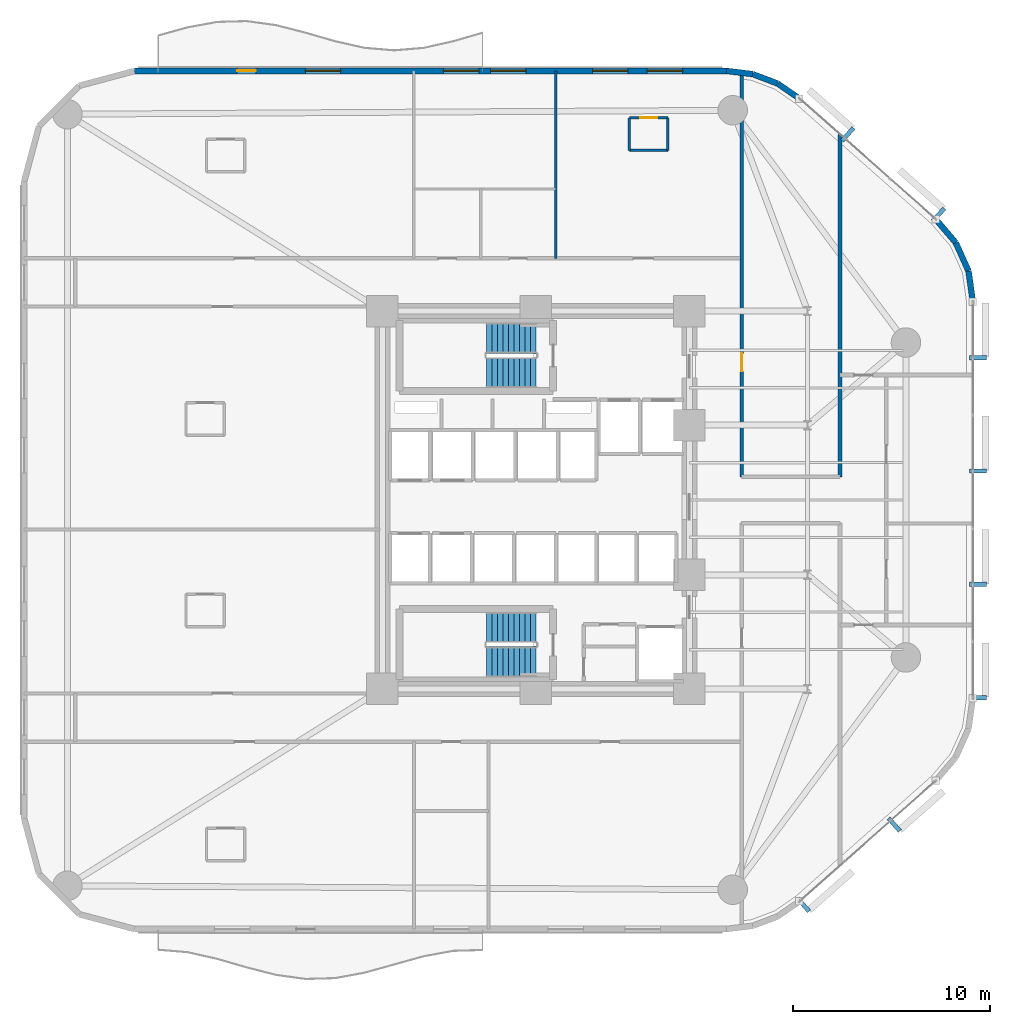
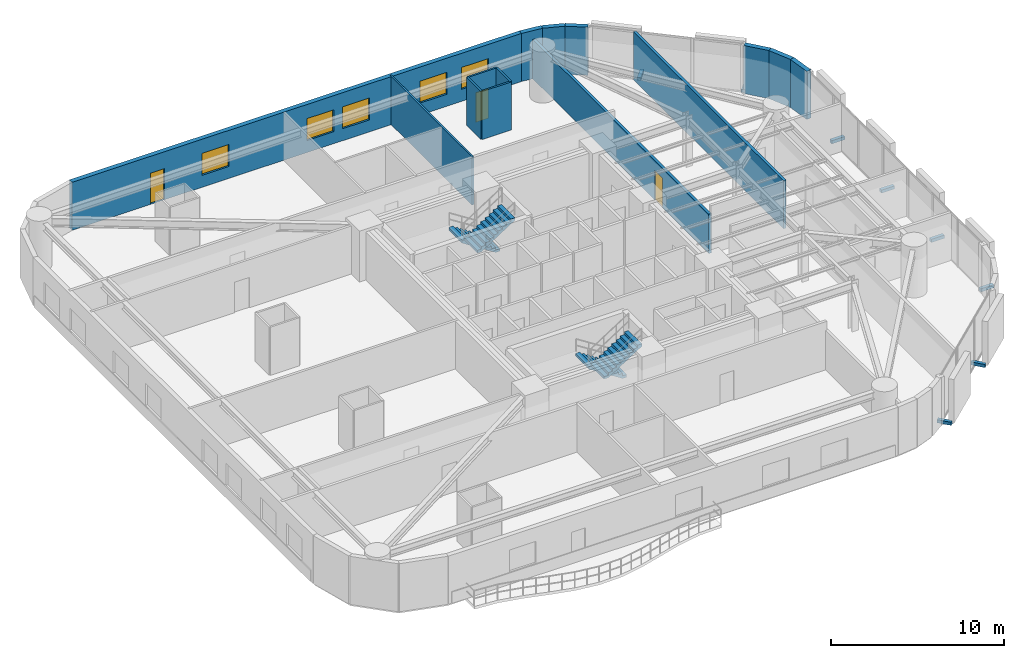
# One storey, part 13 of 16: 14 walls, 8 discrete accessories, 5 windows, 4 stair flights, 3 doors, 8 openings, 2 elements without a shape of their own.
"""IFC4 building model written with IfcOpenShell, lengths in metres."""

import ifcopenshell
import ifcopenshell.guid

model = None  # the IFC model being written
_history = None  # IfcOwnerHistory: only IFC2X3 demands one
_inside = {}  # id of a spatial element -> (the spatial element, [elements in it])
_under = {}  # id of a project, library or spatial element -> (it, [spatial elements below it])
_declared = {}  # id of a project -> (the project, [libraries it declares])
_typed = {}  # id of a type object -> (the type object, [elements of that type])
_made_of = {}  # id of a material, layer set ... -> (it, [elements and type objects made of it])


def new_model(schema):
    """Start an empty IFC model of exactly this schema.

    Asked for "IFC4X3", IfcOpenShell would pick the latest addendum, in which some entities
    have other attributes; the version numbers below select the first issue.
    IFC2X3 requires an IfcOwnerHistory on every rooted entity: one is made here for all.
    """
    global model, _history
    if schema == "IFC4X3":
        model = ifcopenshell.file(schema_version=(4, 3, 0, 0))
    else:
        model = ifcopenshell.file(schema=schema)
    _inside.clear()
    _under.clear()
    _declared.clear()
    _typed.clear()
    _made_of.clear()
    _history = None
    if model.schema == "IFC2X3":
        org = make("IfcOrganization", Name="unknown")
        user = make(
            "IfcPersonAndOrganization",
            ThePerson=make("IfcPerson", FamilyName="unknown"),
            TheOrganization=org,
        )
        app = make(
            "IfcApplication",
            ApplicationDeveloper=org,
            Version="unknown",
            ApplicationFullName="unknown",
            ApplicationIdentifier="unknown",
        )
        _history = make(
            "IfcOwnerHistory",
            OwningUser=user,
            OwningApplication=app,
            ChangeAction="ADDED",
            CreationDate=0,
        )
    return model


def make(cls, **values):
    """One entity of the class cls with the attributes given. An attribute that is None is left unset."""
    return model.create_entity(
        cls, **{name: value for name, value in values.items() if value is not None}
    )


def rooted(cls, **values):
    """An entity with a GlobalId (a new one), such as an element, a storey or a relation."""
    return make(cls, GlobalId=ifcopenshell.guid.new(), OwnerHistory=_history, **values)


def si_unit(unit_type, name, prefix=None):
    """IfcSIUnit, for example si_unit("LENGTHUNIT", "METRE", prefix="MILLI")."""
    return make("IfcSIUnit", UnitType=unit_type, Prefix=prefix, Name=name)


def assignment(units):
    """IfcUnitAssignment: the units of a project."""
    return None if units is None else make("IfcUnitAssignment", Units=units)


def point(xyz):
    """IfcCartesianPoint."""
    return None if xyz is None else make("IfcCartesianPoint", Coordinates=xyz)


def direction(xyz):
    """IfcDirection."""
    return None if xyz is None else make("IfcDirection", DirectionRatios=xyz)


def frame(location, z_axis=None, x_axis=None):
    """IfcAxis2Placement3D, a coordinate frame: its origin and axes. An axis left out is left unset."""
    return make(
        "IfcAxis2Placement3D",
        Location=point(location),
        Axis=direction(z_axis),
        RefDirection=direction(x_axis),
    )


def frame_2d(location, x_axis=None):
    """IfcAxis2Placement2D, a coordinate frame in the plane: its origin and x axis."""
    return make(
        "IfcAxis2Placement2D", Location=point(location), RefDirection=direction(x_axis)
    )


def origin():
    """The frame at (0, 0, 0) with its axes left unset."""
    return frame((0.0, 0.0, 0.0))


def origin_2d():
    """The frame at (0, 0) in the plane with its x axis left unset."""
    return frame_2d((0.0, 0.0))


def place(relative_to, where):
    """IfcLocalPlacement: puts the frame where relative to a parent placement (None: the world)."""
    return make(
        "IfcLocalPlacement", PlacementRelTo=relative_to, RelativePlacement=where
    )


def context(
    kind, dimensions, precision=None, world=None, true_north=None, identifier=None
):
    """IfcGeometricRepresentationContext, for example the 3D "Model" context."""
    return make(
        "IfcGeometricRepresentationContext",
        ContextIdentifier=identifier,
        ContextType=kind,
        CoordinateSpaceDimension=dimensions,
        Precision=precision,
        WorldCoordinateSystem=world,
        TrueNorth=true_north,
    )


def subcontext(parent, identifier, kind, view, scale=None):
    """IfcGeometricRepresentationSubContext, for example "Body" below "Model"."""
    return make(
        "IfcGeometricRepresentationSubContext",
        ContextIdentifier=identifier,
        ContextType=kind,
        ParentContext=parent,
        TargetScale=scale,
        TargetView=view,
    )


def project(units=None, contexts=None):
    """IfcProject with its units and contexts."""
    return rooted(
        "IfcProject",
        Name="project",
        RepresentationContexts=contexts,
        UnitsInContext=assignment(units),
    )


def spatial(cls, under=None, at=None, **own):
    """A site, building, storey or space (cls), placed at a placement, below another one or the project."""
    s = rooted(cls, ObjectPlacement=at, **own)
    if under is not None:
        _under.setdefault(under.id(), (under, []))[1].append(s)
    return s


def polyline(points):
    """IfcPolyline through the points."""
    return make("IfcPolyline", Points=[point(p) for p in points])


def profile(cls, at=None, kind="AREA", **sizes):
    """A parametric profile (cls). Its sizes go by their IFC names, for example OverallWidth=200.0."""
    return make(cls, ProfileType=kind, Position=at, **sizes)


def rectangle(**sizes):
    """IfcRectangleProfileDef."""
    return profile("IfcRectangleProfileDef", **sizes)


def outline(outer, holes=None, kind="AREA"):
    """IfcArbitraryClosedProfileDef: a profile drawn as a closed curve; with holes, ...WithVoids."""
    if holes is None:
        return make("IfcArbitraryClosedProfileDef", ProfileType=kind, OuterCurve=outer)
    return make(
        "IfcArbitraryProfileDefWithVoids",
        ProfileType=kind,
        OuterCurve=outer,
        InnerCurves=holes,
    )


def extrude(swept, where, along, depth):
    """IfcExtrudedAreaSolid: the profile swept, set in the frame where, extruded along a direction by depth."""
    return make(
        "IfcExtrudedAreaSolid",
        SweptArea=swept,
        Position=where,
        ExtrudedDirection=direction(along),
        Depth=depth,
    )


def shape(context_of_items, identifier, shape_type, items):
    """IfcShapeRepresentation: the items that make up one representation, for example the "Body"."""
    return make(
        "IfcShapeRepresentation",
        ContextOfItems=context_of_items,
        RepresentationIdentifier=identifier,
        RepresentationType=shape_type,
        Items=items,
    )


def material(Name=None, Category=None):
    """IfcMaterial."""
    return make("IfcMaterial", Name=Name, Category=Category)


def layer(
    of_material, thickness, ventilated=None, Name=None, Category=None, Priority=None
):
    """IfcMaterialLayer: one layer of a wall or slab, of a material (None: an air gap)."""
    return make(
        "IfcMaterialLayer",
        Material=of_material,
        LayerThickness=thickness,
        IsVentilated=ventilated,
        Name=Name,
        Category=Category,
        Priority=Priority,
    )


def layer_set(layers, Name=None):
    """IfcMaterialLayerSet."""
    return make("IfcMaterialLayerSet", MaterialLayers=layers, LayerSetName=Name)


def made_of(thing, what):
    """Note that an element or type object is made of a material, layer set ...; save() writes the relation."""
    if what is not None:
        _made_of.setdefault(what.id(), (what, []))[1].append(thing)
    return thing


def type_object(cls, material=None, **own):
    """A type object (cls), such as IfcWallType, which elements share."""
    return made_of(rooted(cls, **own), material)


def element(
    cls,
    number,
    at=None,
    inside=None,
    cuts=None,
    type_object=None,
    material=None,
    context=None,
    identifier="Body",
    shape_type=None,
    held_by="IfcProductDefinitionShape",
    body=None,
    shapes=None,
    **own,
):
    """One element of the class cls, such as IfcWall. Its Tag is "e" and its number.

    at: its placement. inside: the storey or other place that contains it. cuts: it is an
    opening in that element (IfcRelVoidsElement). A single representation is given by context,
    identifier, shape_type and body (its items); several are given by shapes. held_by: the class
    of the entity that holds the representations. save() writes the other relations.
    """
    e = rooted(cls, Tag="e%d" % number, ObjectPlacement=at, **own)
    if body is not None:
        shapes = [shape(context, identifier, shape_type, body)]
    if shapes is not None:
        e.Representation = make(held_by, Representations=shapes)
    if inside is not None:
        _inside.setdefault(inside.id(), (inside, []))[1].append(e)
    if cuts is not None:
        rooted(
            "IfcRelVoidsElement", RelatingBuildingElement=cuts, RelatedOpeningElement=e
        )
    if type_object is not None:
        _typed.setdefault(type_object.id(), (type_object, []))[1].append(e)
    return made_of(e, material)


def fill(opening, filler):
    """IfcRelFillsElement: the door or window that sits in an opening."""
    return rooted(
        "IfcRelFillsElement",
        RelatingOpeningElement=opening,
        RelatedBuildingElement=filler,
    )


def aggregate(whole, parts):
    """IfcRelAggregates: a whole, such as a stair, and the parts it consists of."""
    return rooted("IfcRelAggregates", RelatingObject=whole, RelatedObjects=parts)


def save(model, path):
    """Write the relations noted so far, then the file.

    IfcRelAggregates (storeys below a building ...), IfcRelContainedInSpatialStructure (elements
    in a storey), IfcRelDefinesByType, IfcRelAssociatesMaterial and IfcRelDeclares: one each for
    every whole, place, type object, material and project.
    """
    for whole, parts in _under.values():
        aggregate(whole, parts)
    for where, things in _inside.values():
        rooted(
            "IfcRelContainedInSpatialStructure",
            RelatedElements=things,
            RelatingStructure=where,
        )
    for kind, things in _typed.values():
        rooted("IfcRelDefinesByType", RelatedObjects=things, RelatingType=kind)
    for what, things in _made_of.values():
        rooted("IfcRelAssociatesMaterial", RelatedObjects=things, RelatingMaterial=what)
    for by, libraries in _declared.values():
        rooted("IfcRelDeclares", RelatingContext=by, RelatedDefinitions=libraries)
    model.write(path)


model = new_model("IFC4")

# Units and contexts
model_context = context("Model", 3, precision=1e-05, world=origin(), true_north=direction((0.0, 1.0)))
body_context = subcontext(model_context, "Body", "Model", "MODEL_VIEW")
ifc_project = project(units=[si_unit("LENGTHUNIT", "METRE"), si_unit("AREAUNIT", "SQUARE_METRE"), si_unit("VOLUMEUNIT", "CUBIC_METRE"), si_unit("PLANEANGLEUNIT", "RADIAN"), si_unit("MASSUNIT", "GRAM", prefix="KILO")], contexts=[model_context])

# Site, building, storey
site_placement = place(None, origin())
site = spatial("IfcSite", under=ifc_project, at=site_placement, CompositionType="ELEMENT")
building_placement = place(site_placement, origin())
building = spatial("IfcBuilding", under=site, at=building_placement, Name="An Khanh Terracotta Commons", CompositionType="ELEMENT")
storey_placement = place(building_placement, frame((0.0, 0.0, 54.0)))
storey = spatial("IfcBuildingStorey", under=building, at=storey_placement, Name="L14", CompositionType="ELEMENT", Elevation=54.0)

# Wall, opening, door
ifc_material_1 = material(Name="Fire-Rated Gypsum Board on Steel Stud", Category="steel")
ifc_layer_1 = layer(ifc_material_1, 0.179931640625, Name="Fire-Rated Gypsum Board on Steel Stud")
ifc_layer_set_1 = layer_set([ifc_layer_1], Name="Fire-Rated Gypsum Board on Steel Stud")
wall_type_1 = type_object("IfcWallType", Name="WALL-CORR-180", PredefinedType="PARTITIONING", material=ifc_layer_set_1)
wall_1_placement = place(storey_placement, frame((39.85009765625, 25.179931640625, 0.0), z_axis=(0.0, 0.0, 1.0), x_axis=(0.0, 1.0, 0.0)))
wall_1 = element("IfcWall", 1, at=wall_1_placement, inside=storey, type_object=wall_type_1, Name="L14 Interior Partition IW-L14-E021", PredefinedType="PARTITIONING", context=body_context, shape_type="SweptSolid", body=[
    extrude(rectangle(XDim=20.527099609375, YDim=0.179931640625, at=frame_2d((10.263671875, 0.0))), origin(), (0.0, 0.0, 1.0), 2.781982421875),
])
opening_1_placement = place(wall_1_placement, frame((5.35009765625, 0.0, 0.0)))
opening_1 = element("IfcOpeningElement", 2, at=opening_1_placement, cuts=wall_1, Name="Opening D-RM", PredefinedType="OPENING", context=body_context, shape_type="SweptSolid", body=[
    extrude(rectangle(XDim=0.919921875, YDim=2.10009765625, at=frame_2d((0.4599609375, 1.050048828125))), frame((0.0, 0.099853515625, 0.0), z_axis=(0.0, -1.0, 0.0), x_axis=(1.0, 0.0, 0.0)), (0.0, 0.0, 1.0), 0.199951171875),
])
ifc_material_2 = material(Name="Engineered Hardwood Timber Leaf", Category="wood")
door_type_1 = type_object("IfcDoorType", Name="DOOR-INT-920", OperationType="NOTDEFINED", PredefinedType="DOOR", material=ifc_material_2)
door_1_placement = place(opening_1_placement, origin())
door_1 = element("IfcDoor", 3, at=door_1_placement, inside=storey, type_object=door_type_1, Name="L14 NB1 Academic Seminar Room Door", OperationType="SINGLE_SWING_RIGHT", OverallHeight=2.10009765625, OverallWidth=0.919921875, PredefinedType="DOOR", context=body_context, shape_type="SweptSolid", body=[
    extrude(rectangle(XDim=0.919921875, YDim=2.10009765625, at=frame_2d((0.4599609375, 1.050048828125))), frame((0.0, 0.02490234375, 0.0), z_axis=(0.0, -1.0, 0.0), x_axis=(1.0, 0.0, 0.0)), (0.0, 0.0, 1.0), 0.050048828125),
])
fill(opening_1, door_1)

# Walls
wall_2_placement = place(storey_placement, frame((44.85009765625, 25.179931640625, 0.0), z_axis=(0.0, 0.0, 1.0), x_axis=(0.0, 1.0, 0.0)))
element("IfcWall", 4, at=wall_2_placement, inside=storey, type_object=wall_type_1, Name="L14 Interior Partition IW-L14-E023", PredefinedType="PARTITIONING", context=body_context, shape_type="SweptSolid", body=[
    extrude(rectangle(XDim=17.39111328125, YDim=0.179931640625, at=frame_2d((8.695556640625, 0.0))), origin(), (0.0, 0.0, 1.0), 3.39990234375),
])
ifc_material_3 = material(Name="Precast concrete C40/50", Category="concrete")
ifc_layer_2 = layer(ifc_material_3, 0.300048828125, Name="Precast concrete C40/50")
ifc_layer_set_2 = layer_set([ifc_layer_2], Name="Precast concrete C40/50")
wall_type_2 = type_object("IfcWallType", Name="WALL-EXT-300", PredefinedType="SOLIDWALL", material=ifc_layer_set_2)
wall_3_placement = place(storey_placement, frame((51.60009765625, 34.076904296875, 0.0), z_axis=(0.0, 0.0, 1.0), x_axis=(-0.140380048512, 0.990097693149, 0.0)))
element("IfcWall", 5, at=wall_3_placement, inside=storey, type_object=wall_type_2, Name="L14 Insulated Terracotta Exterior Wall 13", PredefinedType="SOLIDWALL", context=body_context, shape_type="SweptSolid", body=[
    extrude(rectangle(XDim=1.57568359375, YDim=0.300048828125, at=frame_2d((0.787841796875, 0.0))), origin(), (0.0, 0.0, 1.0), 3.39990234375),
])
wall_4_placement = place(storey_placement, frame((51.37890625, 35.636962890625, 0.0), z_axis=(0.0, 0.0, 1.0), x_axis=(-0.410996558744, 0.911636895206, 0.0)))
element("IfcWall", 6, at=wall_4_placement, inside=storey, type_object=wall_type_2, Name="L14 Insulated Terracotta Exterior Wall 14", PredefinedType="SOLIDWALL", context=body_context, shape_type="SweptSolid", body=[
    extrude(rectangle(XDim=1.57421875, YDim=0.300048828125, at=frame_2d((0.787109375, 0.0))), origin(), (0.0, 0.0, 1.0), 3.39990234375),
])
wall_5_placement = place(storey_placement, frame((50.73193359375, 37.072021484375, 0.0), z_axis=(0.0, 0.0, 1.0), x_axis=(-0.648389989909, 0.7613083613, 0.0)))
element("IfcWall", 7, at=wall_5_placement, inside=storey, type_object=wall_type_2, Name="L14 Insulated Terracotta Exterior Wall 15", PredefinedType="SOLIDWALL", context=body_context, shape_type="SweptSolid", body=[
    extrude(rectangle(XDim=1.576171875, YDim=0.300048828125, at=frame_2d((0.7880859375, 0.0))), origin(), (0.0, 0.0, 1.0), 3.39990234375),
])
wall_6_placement = place(storey_placement, frame((42.7890625, 44.39404296875, 0.0), z_axis=(0.0, 0.0, 1.0), x_axis=(-0.823116500192, 0.567872544777, 0.0)))
element("IfcWall", 8, at=wall_6_placement, inside=storey, type_object=wall_type_2, Name="L14 Insulated Terracotta Exterior Wall 17", PredefinedType="SOLIDWALL", context=body_context, shape_type="SweptSolid", body=[
    extrude(rectangle(XDim=1.3486328125, YDim=0.300048828125, at=frame_2d((0.67431640625, 0.0))), origin(), (0.0, 0.0, 1.0), 3.39990234375),
])
wall_7_placement = place(storey_placement, frame((41.678955078125, 45.159912109375, 0.0), z_axis=(0.0, 0.0, 1.0), x_axis=(-0.935156721165, 0.354234254216, 0.0)))
element("IfcWall", 9, at=wall_7_placement, inside=storey, type_object=wall_type_2, Name="L14 Insulated Terracotta Exterior Wall 18", PredefinedType="SOLIDWALL", context=body_context, shape_type="SweptSolid", body=[
    extrude(rectangle(XDim=1.349365234375, YDim=0.300048828125, at=frame_2d((0.6748046875, 0.0))), origin(), (0.0, 0.0, 1.0), 3.39990234375),
])
wall_8_placement = place(storey_placement, frame((40.4169921875, 45.637939453125, 0.0), z_axis=(0.0, 0.0, 1.0), x_axis=(-0.992739027259, 0.120288086515, 0.0)))
element("IfcWall", 10, at=wall_8_placement, inside=storey, type_object=wall_type_2, Name="L14 Insulated Terracotta Exterior Wall 19", PredefinedType="SOLIDWALL", context=body_context, shape_type="SweptSolid", body=[
    extrude(rectangle(XDim=1.34765625, YDim=0.300048828125, at=frame_2d((0.673828125, 0.0))), origin(), (0.0, 0.0, 1.0), 3.39990234375),
])

# Wall, openings, door, windows
wall_9_placement = place(storey_placement, frame((39.0791015625, 45.800048828125, 0.0), z_axis=(0.0, 0.0, 1.0), x_axis=(-1.0, 0.0, 0.0)))
wall_9 = element("IfcWall", 11, at=wall_9_placement, inside=storey, type_object=wall_type_2, Name="L14 Insulated Terracotta Exterior Wall 20", PredefinedType="SOLIDWALL", context=body_context, shape_type="SweptSolid", body=[
    extrude(rectangle(XDim=30.0791015625, YDim=0.300048828125, at=frame_2d((15.03955078125, 0.0))), origin(), (0.0, 0.0, 1.0), 3.39990234375),
])
opening_2_placement = place(wall_9_placement, frame((23.904052734375, 0.0, 0.0)))
opening_2 = element("IfcOpeningElement", 12, at=opening_2_placement, cuts=wall_9, Name="Opening D-BAL", PredefinedType="OPENING", context=body_context, shape_type="SweptSolid", body=[
    extrude(rectangle(XDim=0.949951171875, YDim=2.199951171875, at=frame_2d((0.47509765625, 1.10009765625))), frame((0.0, 0.159912109375, 0.0), z_axis=(0.0, -1.0, 0.0), x_axis=(1.0, 0.0, 0.0)), (0.0, 0.0, 1.0), 0.320068359375),
])
opening_3_placement = place(wall_9_placement, frame((2.22607421875, 0.0, 0.85009765625)))
opening_3 = element("IfcOpeningElement", 13, at=opening_3_placement, cuts=wall_9, Name="Opening W-01", PredefinedType="OPENING", context=body_context, shape_type="SweptSolid", body=[
    extrude(rectangle(XDim=1.800048828125, YDim=1.550048828125, at=frame_2d((0.89990234375, 0.77490234375))), frame((0.0, 0.159912109375, 0.0), z_axis=(0.0, -1.0, 0.0), x_axis=(1.0, 0.0, 0.0)), (0.0, 0.0, 1.0), 0.320068359375),
])
opening_4_placement = place(wall_9_placement, frame((5.0029296875, 0.0, 0.85009765625)))
opening_4 = element("IfcOpeningElement", 14, at=opening_4_placement, cuts=wall_9, Name="Opening W-01", PredefinedType="OPENING", context=body_context, shape_type="SweptSolid", body=[
    extrude(rectangle(XDim=1.800048828125, YDim=1.550048828125, at=frame_2d((0.89990234375, 0.77490234375))), frame((0.0, 0.159912109375, 0.0), z_axis=(0.0, -1.0, 0.0), x_axis=(1.0, 0.0, 0.0)), (0.0, 0.0, 1.0), 0.320068359375),
])
opening_5_placement = place(wall_9_placement, frame((10.178955078125, 0.0, 0.85009765625)))
opening_5 = element("IfcOpeningElement", 15, at=opening_5_placement, cuts=wall_9, Name="Opening W-01", PredefinedType="OPENING", context=body_context, shape_type="SweptSolid", body=[
    extrude(rectangle(XDim=1.800048828125, YDim=1.550048828125, at=frame_2d((0.89990234375, 0.77490234375))), frame((0.0, 0.159912109375, 0.0), z_axis=(0.0, -1.0, 0.0), x_axis=(1.0, 0.0, 0.0)), (0.0, 0.0, 1.0), 0.320068359375),
])
opening_6_placement = place(wall_9_placement, frame((12.5791015625, 0.0, 0.85009765625)))
opening_6 = element("IfcOpeningElement", 16, at=opening_6_placement, cuts=wall_9, Name="Opening W-01", PredefinedType="OPENING", context=body_context, shape_type="SweptSolid", body=[
    extrude(rectangle(XDim=1.800048828125, YDim=1.550048828125, at=frame_2d((0.89990234375, 0.77490234375))), frame((0.0, 0.159912109375, 0.0), z_axis=(0.0, -1.0, 0.0), x_axis=(1.0, 0.0, 0.0)), (0.0, 0.0, 1.0), 0.320068359375),
])
opening_7_placement = place(wall_9_placement, frame((19.595947265625, 0.0, 0.85009765625)))
opening_7 = element("IfcOpeningElement", 17, at=opening_7_placement, cuts=wall_9, Name="Opening W-01", PredefinedType="OPENING", context=body_context, shape_type="SweptSolid", body=[
    extrude(rectangle(XDim=1.800048828125, YDim=1.550048828125, at=frame_2d((0.89990234375, 0.77490234375))), frame((0.0, 0.159912109375, 0.0), z_axis=(0.0, -1.0, 0.0), x_axis=(1.0, 0.0, 0.0)), (0.0, 0.0, 1.0), 0.320068359375),
])
ifc_material_4 = material(Name="Thermally Broken Aluminium and Low-E Glass", Category="aluminium")
door_type_2 = type_object("IfcDoorType", Name="DOOR-BALC-950", OperationType="NOTDEFINED", PredefinedType="DOOR", material=ifc_material_4)
door_2_placement = place(opening_2_placement, origin())
door_2 = element("IfcDoor", 18, at=door_2_placement, inside=storey, type_object=door_type_2, Name="L14 N Wave Balcony Glazed Door", OperationType="SINGLE_SWING_RIGHT", OverallHeight=2.199951171875, OverallWidth=0.949951171875, PredefinedType="DOOR", context=body_context, shape_type="SweptSolid", body=[
    extrude(rectangle(XDim=0.949951171875, YDim=2.199951171875, at=frame_2d((0.47509765625, 1.10009765625))), frame((0.0, 0.02490234375, 0.0), z_axis=(0.0, -1.0, 0.0), x_axis=(1.0, 0.0, 0.0)), (0.0, 0.0, 1.0), 0.050048828125),
])
fill(opening_2, door_2)
window_type = type_object("IfcWindowType", Name="WIN-Z1-1800x1550", PartitioningType="DOUBLE_PANEL_VERTICAL", PredefinedType="WINDOW", material=ifc_material_4)
window_1_placement = place(opening_3_placement, origin())
window_1 = element("IfcWindow", 19, at=window_1_placement, inside=storey, type_object=window_type, Name="L14 Operable Casement Window 20.1", OverallHeight=1.550048828125, OverallWidth=1.800048828125, PartitioningType="DOUBLE_PANEL_VERTICAL", PredefinedType="WINDOW", context=body_context, shape_type="SweptSolid", body=[
    extrude(rectangle(XDim=1.800048828125, YDim=1.550048828125, at=frame_2d((0.89990234375, 0.77490234375))), frame((0.0, 0.030029296875, 0.0), z_axis=(0.0, -1.0, 0.0), x_axis=(1.0, 0.0, 0.0)), (0.0, 0.0, 1.0), 0.06005859375),
])
fill(opening_3, window_1)
window_2_placement = place(opening_4_placement, origin())
window_2 = element("IfcWindow", 20, at=window_2_placement, inside=storey, type_object=window_type, Name="L14 Operable Casement Window 20.2", OverallHeight=1.550048828125, OverallWidth=1.800048828125, PartitioningType="DOUBLE_PANEL_VERTICAL", PredefinedType="WINDOW", context=body_context, shape_type="SweptSolid", body=[
    extrude(rectangle(XDim=1.800048828125, YDim=1.550048828125, at=frame_2d((0.89990234375, 0.77490234375))), frame((0.0, 0.030029296875, 0.0), z_axis=(0.0, -1.0, 0.0), x_axis=(1.0, 0.0, 0.0)), (0.0, 0.0, 1.0), 0.06005859375),
])
fill(opening_4, window_2)
window_3_placement = place(opening_5_placement, origin())
window_3 = element("IfcWindow", 21, at=window_3_placement, inside=storey, type_object=window_type, Name="L14 Operable Casement Window 20.3", OverallHeight=1.550048828125, OverallWidth=1.800048828125, PartitioningType="DOUBLE_PANEL_VERTICAL", PredefinedType="WINDOW", context=body_context, shape_type="SweptSolid", body=[
    extrude(rectangle(XDim=1.800048828125, YDim=1.550048828125, at=frame_2d((0.89990234375, 0.77490234375))), frame((0.0, 0.030029296875, 0.0), z_axis=(0.0, -1.0, 0.0), x_axis=(1.0, 0.0, 0.0)), (0.0, 0.0, 1.0), 0.06005859375),
])
fill(opening_5, window_3)
window_4_placement = place(opening_6_placement, origin())
window_4 = element("IfcWindow", 22, at=window_4_placement, inside=storey, type_object=window_type, Name="L14 Operable Casement Window 20.4", OverallHeight=1.550048828125, OverallWidth=1.800048828125, PartitioningType="DOUBLE_PANEL_VERTICAL", PredefinedType="WINDOW", context=body_context, shape_type="SweptSolid", body=[
    extrude(rectangle(XDim=1.800048828125, YDim=1.550048828125, at=frame_2d((0.89990234375, 0.77490234375))), frame((0.0, 0.030029296875, 0.0), z_axis=(0.0, -1.0, 0.0), x_axis=(1.0, 0.0, 0.0)), (0.0, 0.0, 1.0), 0.06005859375),
])
fill(opening_6, window_4)
window_5_placement = place(opening_7_placement, origin())
window_5 = element("IfcWindow", 23, at=window_5_placement, inside=storey, type_object=window_type, Name="L14 Operable Casement Window 20.5", OverallHeight=1.550048828125, OverallWidth=1.800048828125, PartitioningType="DOUBLE_PANEL_VERTICAL", PredefinedType="WINDOW", context=body_context, shape_type="SweptSolid", body=[
    extrude(rectangle(XDim=1.800048828125, YDim=1.550048828125, at=frame_2d((0.89990234375, 0.77490234375))), frame((0.0, 0.030029296875, 0.0), z_axis=(0.0, -1.0, 0.0), x_axis=(1.0, 0.0, 0.0)), (0.0, 0.0, 1.0), 0.06005859375),
])
fill(opening_7, window_5)

# Wall, opening, door
ifc_material_5 = material(Name="Moisture-Resistant Cement Board Partition")
ifc_layer_3 = layer(ifc_material_5, 0.1201171875, Name="Moisture-Resistant Cement Board Partition")
ifc_layer_set_3 = layer_set([ifc_layer_3], Name="Moisture-Resistant Cement Board Partition")
wall_type_3 = type_object("IfcWallType", Name="WALL-WET-120", PredefinedType="PARTITIONING", material=ifc_layer_set_3)
wall_10_placement = place(storey_placement, frame((34.14990234375, 43.4169921875, 0.0), z_axis=(0.0, 0.0, 1.0), x_axis=(1.0, 0.0, 0.0)))
wall_10 = element("IfcWall", 24, at=wall_10_placement, inside=storey, type_object=wall_type_3, Name="L14 Interior Partition IW-L14-NWE-BN", PredefinedType="PARTITIONING", context=body_context, shape_type="SweptSolid", body=[
    extrude(rectangle(XDim=1.9501953125, YDim=0.1201171875, at=frame_2d((0.97509765625, 0.0))), origin(), (0.0, 0.0, 1.0), 3.39990234375),
])
opening_8_placement = place(wall_10_placement, frame((0.544921875, 0.0, 0.0)))
opening_8 = element("IfcOpeningElement", 25, at=opening_8_placement, cuts=wall_10, Name="Opening D-ENS", PredefinedType="OPENING", context=body_context, shape_type="SweptSolid", body=[
    extrude(rectangle(XDim=0.860107421875, YDim=2.10009765625, at=frame_2d((0.43017578125, 1.050048828125))), frame((0.0, 0.070068359375, 0.0), z_axis=(0.0, -1.0, 0.0), x_axis=(1.0, 0.0, 0.0)), (0.0, 0.0, 1.0), 0.14013671875),
])
ifc_material_6 = material(Name="Moisture-Resistant Hardwood Timber Leaf", Category="wood")
door_type_3 = type_object("IfcDoorType", Name="DOOR-BATH-860", OperationType="NOTDEFINED", PredefinedType="DOOR", material=ifc_material_6)
door_3_placement = place(opening_8_placement, origin())
door_3 = element("IfcDoor", 26, at=door_3_placement, inside=storey, type_object=door_type_3, Name="L14 Studio NWE En-suite Door", OperationType="SINGLE_SWING_LEFT", OverallHeight=2.10009765625, OverallWidth=0.860107421875, PredefinedType="DOOR", context=body_context, shape_type="SweptSolid", body=[
    extrude(rectangle(XDim=0.860107421875, YDim=2.10009765625, at=frame_2d((0.43017578125, 1.050048828125))), frame((0.0, 0.02490234375, 0.0), z_axis=(0.0, -1.0, 0.0), x_axis=(1.0, 0.0, 0.0)), (0.0, 0.0, 1.0), 0.050048828125),
])
fill(opening_8, door_3)

# Walls
wall_11_placement = place(storey_placement, frame((36.10009765625, 41.76708984375, 0.0), z_axis=(0.0, 0.0, 1.0), x_axis=(-1.0, 0.0, 0.0)))
element("IfcWall", 27, at=wall_11_placement, inside=storey, type_object=wall_type_3, Name="L14 Interior Partition IW-L14-NWE-BS", PredefinedType="PARTITIONING", context=body_context, shape_type="SweptSolid", body=[
    extrude(rectangle(XDim=1.9501953125, YDim=0.1201171875, at=frame_2d((0.97509765625, 0.0))), origin(), (0.0, 0.0, 1.0), 3.39990234375),
])
for number, where, z_axis, x_axis, name in (
    (28, (34.14990234375, 43.4169921875, 0.0), (0.0, 0.0, 1.0), (0.0, -1.0, 0.0), "L14 Interior Partition IW-L14-NWE-BW"),
    (29, (36.10009765625, 41.76708984375, 0.0), (0.0, 0.0, 1.0), (0.0, 1.0, 0.0), "L14 Interior Partition IW-L14-NWE-BE"),
):
    element("IfcWall", number, at=place(storey_placement, frame(where, z_axis=z_axis, x_axis=x_axis)), inside=storey, type_object=wall_type_3, Name=name, PredefinedType="PARTITIONING", context=body_context, shape_type="SweptSolid", body=[
        extrude(rectangle(XDim=1.64990234375, YDim=0.1201171875, at=frame_2d((0.824951171875, 0.0))), origin(), (0.0, 0.0, 1.0), 3.39990234375),
    ])
wall_12_placement = place(storey_placement, frame((30.39990234375, 36.280029296875, 0.0), z_axis=(0.0, 0.0, 1.0), x_axis=(0.0, 1.0, 0.0)))
element("IfcWall", 30, at=wall_12_placement, inside=storey, type_object=wall_type_3, Name="L14 Interior Partition IW-L14-E019", PredefinedType="PARTITIONING", context=body_context, shape_type="SweptSolid", body=[
    extrude(rectangle(XDim=9.52001953125, YDim=0.1201171875, at=frame_2d((4.760009765625, 0.0))), origin(), (0.0, 0.0, 1.0), 3.39990234375),
])

# Stair, stair flights
stair_type = type_object("IfcStairType", Name="STAIR-CORE-1550", PredefinedType="HALF_TURN_STAIR", material=ifc_material_3)
stair_1_placement = place(storey_placement, origin())
stair_1 = element("IfcStair", 31, at=stair_1_placement, inside=storey, type_object=stair_type, Name="L14 Core Smokeproof Exit Stair ST-01", PredefinedType="HALF_TURN_STAIR")
stair_flight_type = type_object("IfcStairFlightType", Name="FLIGHT-CORE-1550", PredefinedType="STRAIGHT", material=ifc_material_3)
stair_flight_1_placement = place(storey_placement, frame((29.409912109375, 32.22509765625, 0.0), z_axis=(0.0, 0.0, 1.0), x_axis=(-1.0, 0.0, 0.0)))
stair_flight_1 = element("IfcStairFlight", 32, at=stair_flight_1_placement, type_object=stair_flight_type, Name="ST-01 flight 1", NumberOfRisers=10, NumberOfTreads=9, PredefinedType="STRAIGHT", RiserHeight=0.18, TreadLength=0.28, context=body_context, shape_type="SweptSolid", body=[
    extrude(outline(polyline([(0.0, 0.0), (0.0, 0.179931640625), (0.280029296875, 0.179931640625), (0.280029296875, 0.360107421875), (0.56005859375, 0.360107421875), (0.56005859375, 0.5400390625), (0.840087890625, 0.5400390625), (0.840087890625, 0.719970703125), (1.1201171875, 0.719970703125), (1.1201171875, 0.89990234375), (1.39990234375, 0.89990234375), (1.39990234375, 1.080078125), (1.679931640625, 1.080078125), (1.679931640625, 1.260009765625), (1.9599609375, 1.260009765625), (1.9599609375, 1.43994140625), (2.239990234375, 1.43994140625), (2.239990234375, 1.6201171875), (2.52001953125, 1.6201171875), (2.52001953125, 1.800048828125), (2.52001953125, 1.44189453125), (0.277099609375, 0.0), (0.0, 0.0)])), frame((0.0, 0.77490234375, 0.0), z_axis=(0.0, -1.0, 0.0), x_axis=(1.0, 0.0, 0.0)), (0.0, 0.0, 1.0), 1.550048828125),
])
stair_flight_2_placement = place(storey_placement, frame((26.889892578125, 30.47509765625, 1.800048828125), z_axis=(0.0, 0.0, 1.0), x_axis=(1.0, 0.0, 0.0)))
stair_flight_2 = element("IfcStairFlight", 33, at=stair_flight_2_placement, type_object=stair_flight_type, Name="ST-01 flight 2", NumberOfRisers=10, NumberOfTreads=9, PredefinedType="STRAIGHT", RiserHeight=0.18, TreadLength=0.28, context=body_context, shape_type="SweptSolid", body=[
    extrude(outline(polyline([(0.0, 0.0), (0.0, 0.179931640625), (0.280029296875, 0.179931640625), (0.280029296875, 0.360107421875), (0.56005859375, 0.360107421875), (0.56005859375, 0.5400390625), (0.840087890625, 0.5400390625), (0.840087890625, 0.719970703125), (1.1201171875, 0.719970703125), (1.1201171875, 0.89990234375), (1.39990234375, 0.89990234375), (1.39990234375, 1.080078125), (1.679931640625, 1.080078125), (1.679931640625, 1.260009765625), (1.9599609375, 1.260009765625), (1.9599609375, 1.43994140625), (2.239990234375, 1.43994140625), (2.239990234375, 1.6201171875), (2.52001953125, 1.6201171875), (2.52001953125, 1.800048828125), (2.52001953125, 1.44189453125), (0.277099609375, 0.0), (0.0, 0.0)])), frame((0.0, 0.77490234375, 0.0), z_axis=(0.0, -1.0, 0.0), x_axis=(1.0, 0.0, 0.0)), (0.0, 0.0, 1.0), 1.550048828125),
])
aggregate(stair_1, [stair_flight_1, stair_flight_2])

stair_2_placement = place(storey_placement, origin())
stair_2 = element("IfcStair", 34, at=stair_2_placement, inside=storey, type_object=stair_type, Name="L14 Core Smokeproof Exit Stair ST-02", PredefinedType="HALF_TURN_STAIR")
stair_flight_3_placement = place(storey_placement, frame((29.409912109375, 17.52490234375, 0.0), z_axis=(0.0, 0.0, 1.0), x_axis=(-1.0, 0.0, 0.0)))
stair_flight_3 = element("IfcStairFlight", 35, at=stair_flight_3_placement, type_object=stair_flight_type, Name="ST-02 flight 1", NumberOfRisers=10, NumberOfTreads=9, PredefinedType="STRAIGHT", RiserHeight=0.18, TreadLength=0.28, context=body_context, shape_type="SweptSolid", body=[
    extrude(outline(polyline([(0.0, 0.0), (0.0, 0.179931640625), (0.280029296875, 0.179931640625), (0.280029296875, 0.360107421875), (0.56005859375, 0.360107421875), (0.56005859375, 0.5400390625), (0.840087890625, 0.5400390625), (0.840087890625, 0.719970703125), (1.1201171875, 0.719970703125), (1.1201171875, 0.89990234375), (1.39990234375, 0.89990234375), (1.39990234375, 1.080078125), (1.679931640625, 1.080078125), (1.679931640625, 1.260009765625), (1.9599609375, 1.260009765625), (1.9599609375, 1.43994140625), (2.239990234375, 1.43994140625), (2.239990234375, 1.6201171875), (2.52001953125, 1.6201171875), (2.52001953125, 1.800048828125), (2.52001953125, 1.44189453125), (0.277099609375, 0.0), (0.0, 0.0)])), frame((0.0, 0.77490234375, 0.0), z_axis=(0.0, -1.0, 0.0), x_axis=(1.0, 0.0, 0.0)), (0.0, 0.0, 1.0), 1.550048828125),
])
stair_flight_4_placement = place(storey_placement, frame((26.889892578125, 15.77490234375, 1.800048828125), z_axis=(0.0, 0.0, 1.0), x_axis=(1.0, 0.0, 0.0)))
stair_flight_4 = element("IfcStairFlight", 36, at=stair_flight_4_placement, type_object=stair_flight_type, Name="ST-02 flight 2", NumberOfRisers=10, NumberOfTreads=9, PredefinedType="STRAIGHT", RiserHeight=0.18, TreadLength=0.28, context=body_context, shape_type="SweptSolid", body=[
    extrude(outline(polyline([(0.0, 0.0), (0.0, 0.179931640625), (0.280029296875, 0.179931640625), (0.280029296875, 0.360107421875), (0.56005859375, 0.360107421875), (0.56005859375, 0.5400390625), (0.840087890625, 0.5400390625), (0.840087890625, 0.719970703125), (1.1201171875, 0.719970703125), (1.1201171875, 0.89990234375), (1.39990234375, 0.89990234375), (1.39990234375, 1.080078125), (1.679931640625, 1.080078125), (1.679931640625, 1.260009765625), (1.9599609375, 1.260009765625), (1.9599609375, 1.43994140625), (2.239990234375, 1.43994140625), (2.239990234375, 1.6201171875), (2.52001953125, 1.6201171875), (2.52001953125, 1.800048828125), (2.52001953125, 1.44189453125), (0.277099609375, 0.0), (0.0, 0.0)])), frame((0.0, 0.77490234375, 0.0), z_axis=(0.0, -1.0, 0.0), x_axis=(1.0, 0.0, 0.0)), (0.0, 0.0, 1.0), 1.550048828125),
])
aggregate(stair_2, [stair_flight_3, stair_flight_4])

# Discrete accessories
ifc_material_7 = material(Name="Stainless Steel Grade 316L", Category="steel")
discrete_accessory_type = type_object("IfcDiscreteAccessoryType", Name="Stainless Outrigger Facade Bracket", PredefinedType="BRACKET", material=ifc_material_7)
for number, where, z_axis, x_axis, name in (
    (37, (42.990966796875, 3.430908203125, 0.06982421875), (0.0, 0.0, 1.0), (0.749019284633, 0.662548195415, 0.0), "L14 Terracotta Screen Outrigger Bracket 1"),
    (38, (47.60498046875, 7.511962890625, 0.06982421875), (0.0, 0.0, 1.0), (0.749019284633, 0.662548195415, 0.0), "L14 Terracotta Screen Outrigger Bracket 3"),
    (39, (51.864990234375, 13.9580078125, 0.06982421875), (0.0, 0.0, 1.0), (0.0, 1.0, 0.0), "L14 Terracotta Screen Outrigger Bracket 1"),
    (40, (51.864990234375, 19.716064453125, 0.06982421875), (0.0, 0.0, 1.0), (0.0, 1.0, 0.0), "L14 Terracotta Screen Outrigger Bracket 3"),
    (41, (51.864990234375, 25.47509765625, 0.06982421875), (0.0, 0.0, 1.0), (0.0, 1.0, 0.0), "L14 Terracotta Screen Outrigger Bracket 5"),
    (42, (51.864990234375, 31.23291015625, 0.06982421875), (0.0, 0.0, 1.0), (0.0, 1.0, 0.0), "L14 Terracotta Screen Outrigger Bracket 7"),
    (43, (49.85888671875, 38.493896484375, 0.06982421875), (0.0, 0.0, 1.0), (-0.749019284633, 0.662548195415, 0.0), "L14 Terracotta Screen Outrigger Bracket 1"),
    (44, (45.2451171875, 42.574951171875, 0.06982421875), (0.0, 0.0, 1.0), (-0.749019284633, 0.662548195415, 0.0), "L14 Terracotta Screen Outrigger Bracket 3"),
):
    element("IfcDiscreteAccessory", number, at=place(storey_placement, frame(where, z_axis=z_axis, x_axis=x_axis)), inside=storey, type_object=discrete_accessory_type, Name=name, PredefinedType="BRACKET", context=body_context, shape_type="SweptSolid", body=[
        extrude(rectangle(XDim=0.219970703125, YDim=0.8701171875, at=origin_2d()), origin(), (0.0, 0.0, 1.0), 0.219970703125),
    ])

save(model, "model.ifc")
